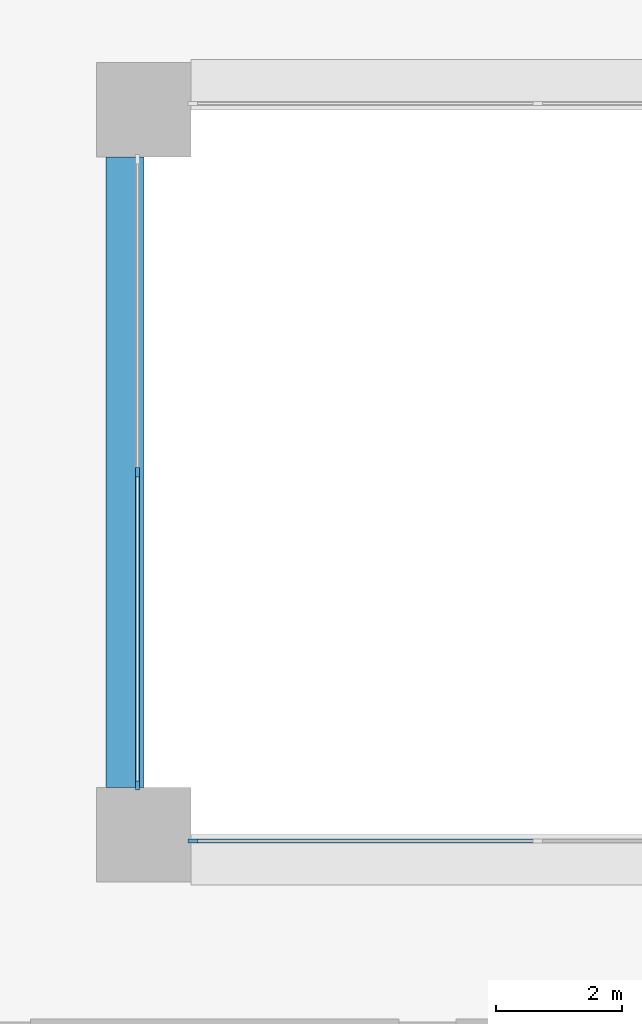
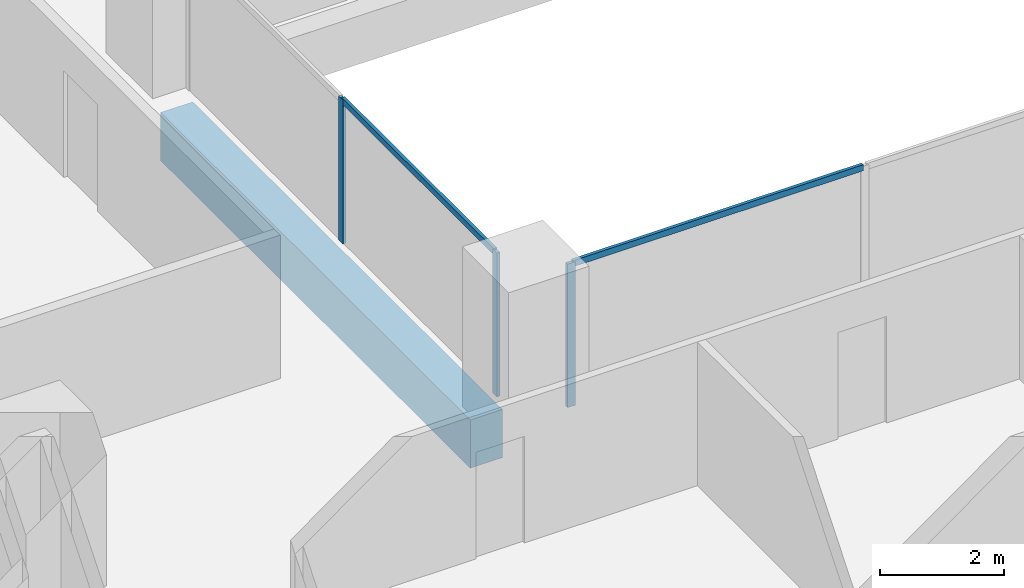
# One storey, part 2 of 19: 5 members, 1 beam, 2 elements without a shape of their own.
"""IFC4 building model written with IfcOpenShell, lengths in metres."""

from ifc_helpers import new_model, si_unit, direction, frame, origin, origin_2d, place, context, subcontext, project, spatial, rectangle, extrude, material, layer, layer_set, material_profile, profile_set, type_object, element, aggregate, save


model = new_model("IFC4")

# Units and contexts
model_context = context("Model", 3, precision=1e-05, world=origin(), true_north=direction((0.0, 1.0)))
body_context = subcontext(model_context, "Body", "Model", "MODEL_VIEW")
ifc_project = project(units=[si_unit("LENGTHUNIT", "METRE"), si_unit("AREAUNIT", "SQUARE_METRE"), si_unit("VOLUMEUNIT", "CUBIC_METRE"), si_unit("PLANEANGLEUNIT", "RADIAN"), si_unit("MASSUNIT", "GRAM", prefix="KILO")], contexts=[model_context])

# Site, building, storey
site_placement = place(None, origin())
site = spatial("IfcSite", under=ifc_project, at=site_placement, CompositionType="ELEMENT")
building_placement = place(site_placement, origin())
building = spatial("IfcBuilding", under=site, at=building_placement, Name="Brigalow Station Residences", CompositionType="ELEMENT")
storey_placement = place(building_placement, frame((0.0, 0.0, 28.949951171875)))
storey = spatial("IfcBuildingStorey", under=building, at=storey_placement, Name="L07", CompositionType="ELEMENT", Elevation=28.949951171875)

# Beam
ifc_material_1 = material(Name="Concrete C65", Category="concrete")
ifc_material_profile_1 = material_profile(ifc_material_1, rectangle(XDim=0.60009765625, YDim=0.949951171875, at=origin_2d()), Name="RC600x950")
ifc_profile_set_1 = profile_set([ifc_material_profile_1], Name="Concrete C65")
beam_type = type_object("IfcBeamType", Name="ATRIUM EDGE GIRDER 600x950 C65", PredefinedType="BEAM", material=ifc_profile_set_1)
beam_placement = place(storey_placement, frame((26.699951171875, 24.75, -0.794921875), z_axis=(0.0, 1.0, 0.0), x_axis=(-1.0, 0.0, 0.0)))
element("IfcBeam", 1, at=beam_placement, inside=storey, type_object=beam_type, Name="ATRIUM EDGE GIRDER 3 L07", PredefinedType="BEAM", context=body_context, shape_type="SweptSolid", body=[
    extrude(rectangle(XDim=0.60009765625, YDim=0.949951171875, at=origin_2d()), origin(), (0.0, 0.0, 1.0), 10.0),
])

# Curtain wall, member
ifc_material_2 = material(Name="Aluminium", Category="aluminium")
ifc_layer = layer(ifc_material_2, 0.14990234375)
ifc_layer_set = layer_set([ifc_layer], Name="ATRIUM FIRE-RATED GLAZING CURTAIN WALL")
curtain_wall_type = type_object("IfcCurtainWallType", Name="ATRIUM FIRE-RATED GLAZING CURTAIN WALL", PredefinedType="NOTDEFINED", material=ifc_layer_set)
curtain_wall_1_placement = place(storey_placement, origin())
curtain_wall_1 = element("IfcCurtainWall", 2, at=curtain_wall_1_placement, inside=storey, type_object=curtain_wall_type, Name="L07/cw/atrium-S", PredefinedType="NOTDEFINED")
ifc_material_3 = material(Name="Aluminium", Category="aluminium")
ifc_material_profile_2 = material_profile(ifc_material_3, rectangle(XDim=0.06005859375, YDim=0.14990234375, at=origin_2d()), Name="ATRIUM FIRE-RATED GLAZING MULLION 60x150")
ifc_profile_set_2 = profile_set([ifc_material_profile_2], Name="Aluminium")
member_type_1 = type_object("IfcMemberType", Name="ATRIUM FIRE-RATED GLAZING MULLION 60x150", PredefinedType="MULLION", material=ifc_profile_set_2)
member_1_placement = place(storey_placement, frame((27.780029296875, 23.89990234375, 0.0), z_axis=(0.0, 0.0, 1.0), x_axis=(0.0, 1.0, 0.0)))
member_1 = element("IfcMember", 3, at=member_1_placement, type_object=member_type_1, Name="L07/cw/atrium-S/M00", PredefinedType="MULLION", context=body_context, shape_type="SweptSolid", body=[
    extrude(rectangle(XDim=0.06005859375, YDim=0.14990234375, at=origin_2d()), origin(), (0.0, 0.0, 1.0), 2.830078125),
])

# Curtain wall, members
curtain_wall_2_placement = place(storey_placement, origin())
curtain_wall_2 = element("IfcCurtainWall", 4, at=curtain_wall_2_placement, inside=storey, type_object=curtain_wall_type, Name="L07/cw/atrium-W", PredefinedType="NOTDEFINED")
member_2_placement = place(storey_placement, frame((26.89990234375, 29.75, 0.0), z_axis=(0.0, 0.0, 1.0), x_axis=(1.0, 0.0, 0.0)))
member_2 = element("IfcMember", 5, at=member_2_placement, type_object=member_type_1, Name="L07/cw/atrium-W/M01", PredefinedType="MULLION", context=body_context, shape_type="SweptSolid", body=[
    extrude(rectangle(XDim=0.06005859375, YDim=0.14990234375, at=origin_2d()), origin(), (0.0, 0.0, 1.0), 2.830078125),
])
member_3_placement = place(storey_placement, frame((26.89990234375, 24.780029296875, 0.0), z_axis=(0.0, 0.0, 1.0), x_axis=(1.0, 0.0, 0.0)))
member_3 = element("IfcMember", 6, at=member_3_placement, type_object=member_type_1, Name="L07/cw/atrium-W/M02", PredefinedType="MULLION", context=body_context, shape_type="SweptSolid", body=[
    extrude(rectangle(XDim=0.06005859375, YDim=0.14990234375, at=origin_2d()), origin(), (0.0, 0.0, 1.0), 2.830078125),
])

# Member
ifc_material_4 = material(Name="Aluminium", Category="aluminium")
ifc_material_profile_3 = material_profile(ifc_material_4, rectangle(XDim=0.06005859375, YDim=0.1201171875, at=origin_2d()), Name="ATRIUM FIRE-RATED GLAZING TRANSOM 60x120")
ifc_profile_set_3 = profile_set([ifc_material_profile_3], Name="Aluminium")
member_type_2 = type_object("IfcMemberType", Name="ATRIUM FIRE-RATED GLAZING TRANSOM 60x120", PredefinedType="USERDEFINED", material=ifc_profile_set_3)
member_4_placement = place(storey_placement, frame((27.81005859375, 23.89990234375, 2.800048828125), z_axis=(1.0, 0.0, 0.0), x_axis=(0.0, 1.0, 0.0)))
member_4 = element("IfcMember", 7, at=member_4_placement, type_object=member_type_2, Name="L07/cw/atrium-S/T00-00", ObjectType="TRANSOM", PredefinedType="USERDEFINED", context=body_context, shape_type="SweptSolid", body=[
    extrude(rectangle(XDim=0.06005859375, YDim=0.1201171875, at=origin_2d()), origin(), (0.0, 0.0, 1.0), 5.409912109375),
])

aggregate(curtain_wall_1, [member_1, member_4])

member_5_placement = place(storey_placement, frame((26.89990234375, 29.719970703125, 2.800048828125), z_axis=(0.0, -1.0, 0.0), x_axis=(1.0, 0.0, 0.0)))
member_5 = element("IfcMember", 8, at=member_5_placement, type_object=member_type_2, Name="L07/cw/atrium-W/T01-00", ObjectType="TRANSOM", PredefinedType="USERDEFINED", context=body_context, shape_type="SweptSolid", body=[
    extrude(rectangle(XDim=0.06005859375, YDim=0.1201171875, at=origin_2d()), origin(), (0.0, 0.0, 1.0), 4.909912109375),
])

aggregate(curtain_wall_2, [member_2, member_3, member_5])

save(model, "model.ifc")
